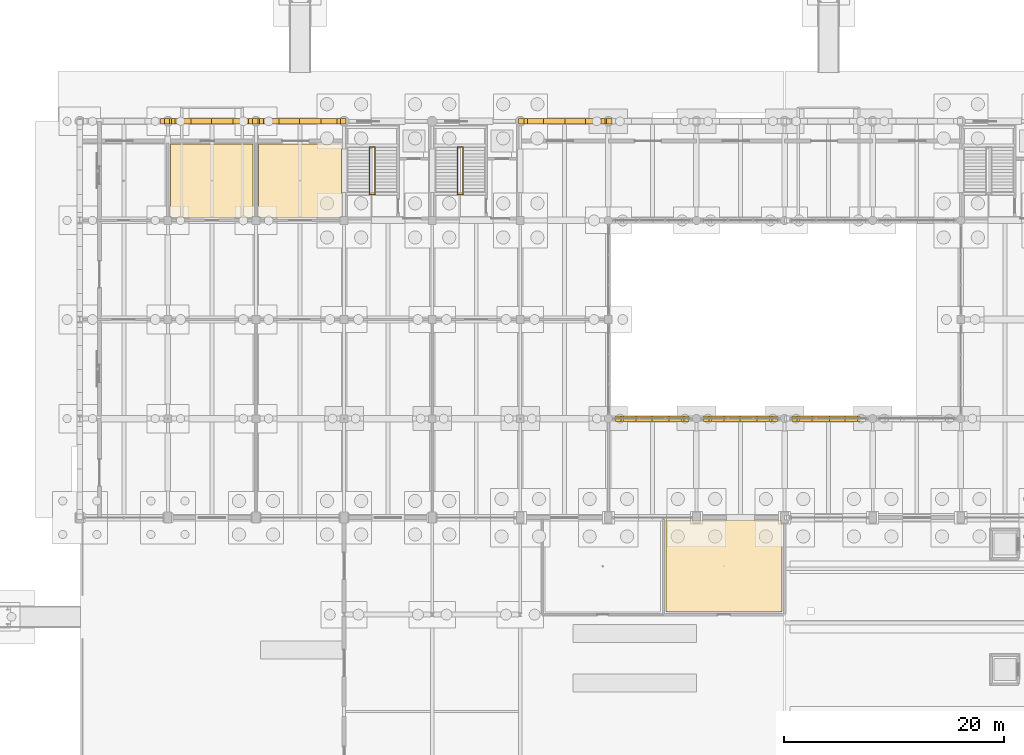
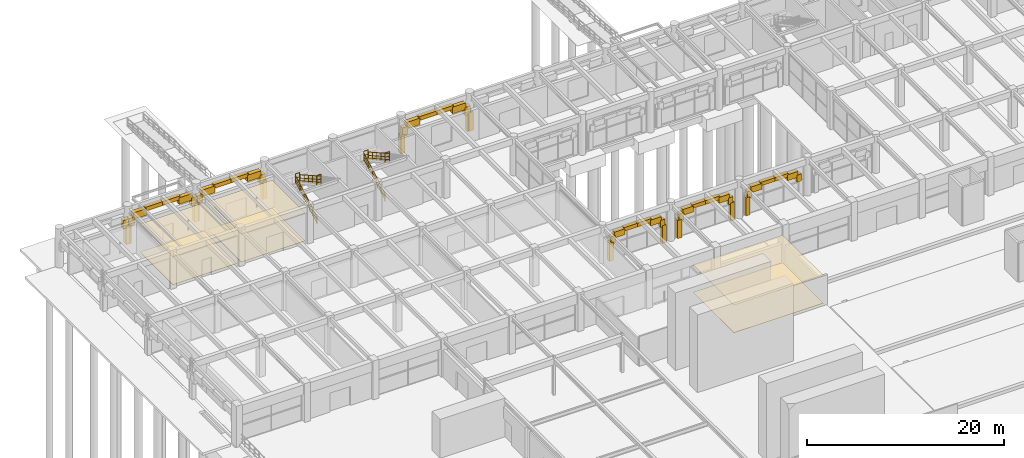
# One storey, part 138 of 147: 56 coverings, 8 railings.
"""IFC4 building model written with IfcOpenShell, lengths in metres."""

import ifcopenshell
import ifcopenshell.guid

model = None  # the IFC model being written
_history = None  # IfcOwnerHistory: only IFC2X3 demands one
_inside = {}  # id of a spatial element -> (the spatial element, [elements in it])
_under = {}  # id of a project, library or spatial element -> (it, [spatial elements below it])
_declared = {}  # id of a project -> (the project, [libraries it declares])
_typed = {}  # id of a type object -> (the type object, [elements of that type])
_made_of = {}  # id of a material, layer set ... -> (it, [elements and type objects made of it])


def new_model(schema):
    """Start an empty IFC model of exactly this schema.

    Asked for "IFC4X3", IfcOpenShell would pick the latest addendum, in which some entities
    have other attributes; the version numbers below select the first issue.
    IFC2X3 requires an IfcOwnerHistory on every rooted entity: one is made here for all.
    """
    global model, _history
    if schema == "IFC4X3":
        model = ifcopenshell.file(schema_version=(4, 3, 0, 0))
    else:
        model = ifcopenshell.file(schema=schema)
    _inside.clear()
    _under.clear()
    _declared.clear()
    _typed.clear()
    _made_of.clear()
    _history = None
    if model.schema == "IFC2X3":
        org = make("IfcOrganization", Name="unknown")
        user = make(
            "IfcPersonAndOrganization",
            ThePerson=make("IfcPerson", FamilyName="unknown"),
            TheOrganization=org,
        )
        app = make(
            "IfcApplication",
            ApplicationDeveloper=org,
            Version="unknown",
            ApplicationFullName="unknown",
            ApplicationIdentifier="unknown",
        )
        _history = make(
            "IfcOwnerHistory",
            OwningUser=user,
            OwningApplication=app,
            ChangeAction="ADDED",
            CreationDate=0,
        )
    return model


def make(cls, **values):
    """One entity of the class cls with the attributes given. An attribute that is None is left unset."""
    return model.create_entity(
        cls, **{name: value for name, value in values.items() if value is not None}
    )


def rooted(cls, **values):
    """An entity with a GlobalId (a new one), such as an element, a storey or a relation."""
    return make(cls, GlobalId=ifcopenshell.guid.new(), OwnerHistory=_history, **values)


def si_unit(unit_type, name, prefix=None):
    """IfcSIUnit, for example si_unit("LENGTHUNIT", "METRE", prefix="MILLI")."""
    return make("IfcSIUnit", UnitType=unit_type, Prefix=prefix, Name=name)


def assignment(units):
    """IfcUnitAssignment: the units of a project."""
    return None if units is None else make("IfcUnitAssignment", Units=units)


def point(xyz):
    """IfcCartesianPoint."""
    return None if xyz is None else make("IfcCartesianPoint", Coordinates=xyz)


def direction(xyz):
    """IfcDirection."""
    return None if xyz is None else make("IfcDirection", DirectionRatios=xyz)


def frame(location, z_axis=None, x_axis=None):
    """IfcAxis2Placement3D, a coordinate frame: its origin and axes. An axis left out is left unset."""
    return make(
        "IfcAxis2Placement3D",
        Location=point(location),
        Axis=direction(z_axis),
        RefDirection=direction(x_axis),
    )


def frame_2d(location, x_axis=None):
    """IfcAxis2Placement2D, a coordinate frame in the plane: its origin and x axis."""
    return make(
        "IfcAxis2Placement2D", Location=point(location), RefDirection=direction(x_axis)
    )


def origin():
    """The frame at (0, 0, 0) with its axes left unset."""
    return frame((0.0, 0.0, 0.0))


def origin_2d():
    """The frame at (0, 0) in the plane with its x axis left unset."""
    return frame_2d((0.0, 0.0))


def place(relative_to, where):
    """IfcLocalPlacement: puts the frame where relative to a parent placement (None: the world)."""
    return make(
        "IfcLocalPlacement", PlacementRelTo=relative_to, RelativePlacement=where
    )


def context(
    kind, dimensions, precision=None, world=None, true_north=None, identifier=None
):
    """IfcGeometricRepresentationContext, for example the 3D "Model" context."""
    return make(
        "IfcGeometricRepresentationContext",
        ContextIdentifier=identifier,
        ContextType=kind,
        CoordinateSpaceDimension=dimensions,
        Precision=precision,
        WorldCoordinateSystem=world,
        TrueNorth=true_north,
    )


def subcontext(parent, identifier, kind, view, scale=None):
    """IfcGeometricRepresentationSubContext, for example "Body" below "Model"."""
    return make(
        "IfcGeometricRepresentationSubContext",
        ContextIdentifier=identifier,
        ContextType=kind,
        ParentContext=parent,
        TargetScale=scale,
        TargetView=view,
    )


def project(units=None, contexts=None):
    """IfcProject with its units and contexts."""
    return rooted(
        "IfcProject",
        Name="project",
        RepresentationContexts=contexts,
        UnitsInContext=assignment(units),
    )


def spatial(cls, under=None, at=None, **own):
    """A site, building, storey or space (cls), placed at a placement, below another one or the project."""
    s = rooted(cls, ObjectPlacement=at, **own)
    if under is not None:
        _under.setdefault(under.id(), (under, []))[1].append(s)
    return s


def polyline(points):
    """IfcPolyline through the points."""
    return make("IfcPolyline", Points=[point(p) for p in points])


def profile(cls, at=None, kind="AREA", **sizes):
    """A parametric profile (cls). Its sizes go by their IFC names, for example OverallWidth=200.0."""
    return make(cls, ProfileType=kind, Position=at, **sizes)


def rectangle(**sizes):
    """IfcRectangleProfileDef."""
    return profile("IfcRectangleProfileDef", **sizes)


def circle(**sizes):
    """IfcCircleProfileDef."""
    return profile("IfcCircleProfileDef", **sizes)


def outline(outer, holes=None, kind="AREA"):
    """IfcArbitraryClosedProfileDef: a profile drawn as a closed curve; with holes, ...WithVoids."""
    if holes is None:
        return make("IfcArbitraryClosedProfileDef", ProfileType=kind, OuterCurve=outer)
    return make(
        "IfcArbitraryProfileDefWithVoids",
        ProfileType=kind,
        OuterCurve=outer,
        InnerCurves=holes,
    )


def extrude(swept, where, along, depth):
    """IfcExtrudedAreaSolid: the profile swept, set in the frame where, extruded along a direction by depth."""
    return make(
        "IfcExtrudedAreaSolid",
        SweptArea=swept,
        Position=where,
        ExtrudedDirection=direction(along),
        Depth=depth,
    )


def shape(context_of_items, identifier, shape_type, items):
    """IfcShapeRepresentation: the items that make up one representation, for example the "Body"."""
    return make(
        "IfcShapeRepresentation",
        ContextOfItems=context_of_items,
        RepresentationIdentifier=identifier,
        RepresentationType=shape_type,
        Items=items,
    )


def material(Name=None, Category=None):
    """IfcMaterial."""
    return make("IfcMaterial", Name=Name, Category=Category)


def layer(
    of_material, thickness, ventilated=None, Name=None, Category=None, Priority=None
):
    """IfcMaterialLayer: one layer of a wall or slab, of a material (None: an air gap)."""
    return make(
        "IfcMaterialLayer",
        Material=of_material,
        LayerThickness=thickness,
        IsVentilated=ventilated,
        Name=Name,
        Category=Category,
        Priority=Priority,
    )


def layer_set(layers, Name=None):
    """IfcMaterialLayerSet."""
    return make("IfcMaterialLayerSet", MaterialLayers=layers, LayerSetName=Name)


def made_of(thing, what):
    """Note that an element or type object is made of a material, layer set ...; save() writes the relation."""
    if what is not None:
        _made_of.setdefault(what.id(), (what, []))[1].append(thing)
    return thing


def type_object(cls, material=None, **own):
    """A type object (cls), such as IfcWallType, which elements share."""
    return made_of(rooted(cls, **own), material)


def element(
    cls,
    number,
    at=None,
    inside=None,
    cuts=None,
    type_object=None,
    material=None,
    context=None,
    identifier="Body",
    shape_type=None,
    held_by="IfcProductDefinitionShape",
    body=None,
    shapes=None,
    **own,
):
    """One element of the class cls, such as IfcWall. Its Tag is "e" and its number.

    at: its placement. inside: the storey or other place that contains it. cuts: it is an
    opening in that element (IfcRelVoidsElement). A single representation is given by context,
    identifier, shape_type and body (its items); several are given by shapes. held_by: the class
    of the entity that holds the representations. save() writes the other relations.
    """
    e = rooted(cls, Tag="e%d" % number, ObjectPlacement=at, **own)
    if body is not None:
        shapes = [shape(context, identifier, shape_type, body)]
    if shapes is not None:
        e.Representation = make(held_by, Representations=shapes)
    if inside is not None:
        _inside.setdefault(inside.id(), (inside, []))[1].append(e)
    if cuts is not None:
        rooted(
            "IfcRelVoidsElement", RelatingBuildingElement=cuts, RelatedOpeningElement=e
        )
    if type_object is not None:
        _typed.setdefault(type_object.id(), (type_object, []))[1].append(e)
    return made_of(e, material)


def aggregate(whole, parts):
    """IfcRelAggregates: a whole, such as a stair, and the parts it consists of."""
    return rooted("IfcRelAggregates", RelatingObject=whole, RelatedObjects=parts)


def save(model, path):
    """Write the relations noted so far, then the file.

    IfcRelAggregates (storeys below a building ...), IfcRelContainedInSpatialStructure (elements
    in a storey), IfcRelDefinesByType, IfcRelAssociatesMaterial and IfcRelDeclares: one each for
    every whole, place, type object, material and project.
    """
    for whole, parts in _under.values():
        aggregate(whole, parts)
    for where, things in _inside.values():
        rooted(
            "IfcRelContainedInSpatialStructure",
            RelatedElements=things,
            RelatingStructure=where,
        )
    for kind, things in _typed.values():
        rooted("IfcRelDefinesByType", RelatedObjects=things, RelatingType=kind)
    for what, things in _made_of.values():
        rooted("IfcRelAssociatesMaterial", RelatedObjects=things, RelatingMaterial=what)
    for by, libraries in _declared.values():
        rooted("IfcRelDeclares", RelatingContext=by, RelatedDefinitions=libraries)
    model.write(path)


model = new_model("IFC4")

# Units and contexts
model_context = context("Model", 3, precision=1e-05, world=origin(), true_north=direction((0.0, 1.0)))
body_context = subcontext(model_context, "Body", "Model", "MODEL_VIEW")
ifc_project = project(units=[si_unit("LENGTHUNIT", "METRE"), si_unit("AREAUNIT", "SQUARE_METRE"), si_unit("VOLUMEUNIT", "CUBIC_METRE"), si_unit("PLANEANGLEUNIT", "RADIAN"), si_unit("MASSUNIT", "GRAM", prefix="KILO")], contexts=[model_context])

# Site, building, storey
site_placement = place(None, origin())
site = spatial("IfcSite", under=ifc_project, at=site_placement, CompositionType="ELEMENT")
building_placement = place(site_placement, origin())
building = spatial("IfcBuilding", under=site, at=building_placement, Name="Varnabhumi Central Station", CompositionType="ELEMENT")
storey_placement = place(building_placement, origin())
storey = spatial("IfcBuildingStorey", under=building, at=storey_placement, Name="L00", CompositionType="ELEMENT", Elevation=0.0)

# Coverings
ifc_material_1 = material(Name="Mineral-fibre acoustic tile")
ifc_layer_1 = layer(ifc_material_1, 0.02490234375, Name="Mineral-fibre acoustic tile")
ifc_layer_set_1 = layer_set([ifc_layer_1], Name="Mineral-fibre acoustic tile")
covering_type_1 = type_object("IfcCoveringType", Name="COV-CEIL-ACOUSTIC", PredefinedType="CEILING", material=ifc_layer_set_1)
covering_1_placement = place(storey_placement, frame((0.0, 0.0, 3.419921875)))
element("IfcCovering", 1, at=covering_1_placement, inside=storey, type_object=covering_type_1, Name="Passenger Cloak Room and Left Luggage Acoustic Ceiling", PredefinedType="CEILING", context=body_context, shape_type="SweptSolid", body=[
    extrude(outline(polyline([(53.25, 71.449951171875), (63.75, 71.449951171875), (63.75, 79.75), (53.25, 79.75), (53.25, 71.449951171875)])), origin(), (0.0, 0.0, 1.0), 0.025146484375),
])
covering_2_placement = place(storey_placement, frame((0.0, 0.0, 3.469970703125)))
element("IfcCovering", 2, at=covering_2_placement, inside=storey, type_object=covering_type_1, Name="Fire Command Centre Acoustic Ceiling", PredefinedType="CEILING", context=body_context, shape_type="SweptSolid", body=[
    extrude(outline(polyline([(8.25, 107.25), (15.75, 107.25), (15.75, 113.949951171875), (8.25, 113.949951171875), (8.25, 107.25)])), origin(), (0.0, 0.0, 1.0), 0.025146484375),
])
covering_3_placement = place(storey_placement, frame((0.0, 0.0, 3.469970703125)))
element("IfcCovering", 3, at=covering_3_placement, inside=storey, type_object=covering_type_1, Name="Travel Retail Shop 01 Acoustic Ceiling", PredefinedType="CEILING", context=body_context, shape_type="SweptSolid", body=[
    extrude(outline(polyline([(16.25, 107.25), (23.75, 107.25), (23.75, 113.949951171875), (16.25, 113.949951171875), (16.25, 107.25)])), origin(), (0.0, 0.0, 1.0), 0.025146484375),
])
ifc_material_2 = material(Name="Vitrified granite stone flooring", Category="masonry")
ifc_layer_2 = layer(ifc_material_2, 0.030029296875, Name="Vitrified granite stone flooring", Category="masonry")
ifc_layer_set_2 = layer_set([ifc_layer_2], Name="Vitrified granite stone flooring")
covering_type_2 = type_object("IfcCoveringType", Name="COV-FLOR-GRANITE", PredefinedType="FLOORING", material=ifc_layer_set_2)
covering_4_placement = place(storey_placement, origin())
element("IfcCovering", 4, at=covering_4_placement, inside=storey, type_object=covering_type_2, Name="Passenger Cloak Room and Left Luggage Granite Flooring", PredefinedType="FLOORING", context=body_context, shape_type="SweptSolid", body=[
    extrude(outline(polyline([(53.25, 71.449951171875), (63.75, 71.449951171875), (63.75, 79.75), (53.25, 79.75), (53.25, 71.449951171875)])), origin(), (0.0, 0.0, 1.0), 0.030029296875),
])
covering_5_placement = place(storey_placement, origin())
element("IfcCovering", 5, at=covering_5_placement, inside=storey, type_object=covering_type_2, Name="Fire Command Centre Granite Flooring", PredefinedType="FLOORING", context=body_context, shape_type="SweptSolid", body=[
    extrude(outline(polyline([(8.25, 107.25), (15.75, 107.25), (15.75, 113.949951171875), (8.25, 113.949951171875), (8.25, 107.25)])), origin(), (0.0, 0.0, 1.0), 0.030029296875),
])
covering_6_placement = place(storey_placement, origin())
element("IfcCovering", 6, at=covering_6_placement, inside=storey, type_object=covering_type_2, Name="Travel Retail Shop 01 Granite Flooring", PredefinedType="FLOORING", context=body_context, shape_type="SweptSolid", body=[
    extrude(outline(polyline([(16.25, 107.25), (23.75, 107.25), (23.75, 113.949951171875), (16.25, 113.949951171875), (16.25, 107.25)])), origin(), (0.0, 0.0, 1.0), 0.030029296875),
])
ifc_material_3 = material(Name="Terracotta clay Mission barrel tile", Category="masonry")
ifc_layer_3 = layer(ifc_material_3, 0.02001953125, Name="Terracotta clay Mission barrel tile", Category="masonry")
ifc_layer_set_3 = layer_set([ifc_layer_3], Name="Terracotta clay Mission barrel tile")
covering_type_3 = type_object("IfcCoveringType", Name="COV-WALL-FAIENCE", PredefinedType="CLADDING", material=ifc_layer_set_3)
covering_7_placement = place(storey_placement, frame((7.657470703125, 116.0, 2.110107421875), z_axis=(0.0, 0.0, 1.0), x_axis=(1.0, 0.0, 0.0)))
element("IfcCovering", 7, at=covering_7_placement, inside=storey, type_object=covering_type_3, Name="North Boulevard Portales Arch 1 Stone Voussoir 6", PredefinedType="CLADDING", context=body_context, shape_type="SweptSolid", body=[
    extrude(rectangle(XDim=0.64501953125, YDim=0.47998046875, at=origin_2d()), origin(), (0.0, 0.0, 1.0), 1.0048828125),
])
covering_8_placement = place(storey_placement, frame((7.919921875, 116.0, -0.02001953125), z_axis=(0.0, 0.0, 1.0), x_axis=(1.0, 0.0, 0.0)))
element("IfcCovering", 8, at=covering_8_placement, inside=storey, type_object=covering_type_3, Name="North Boulevard Portales Arch 1 Classical Pilaster 2", PredefinedType="CLADDING", context=body_context, shape_type="SweptSolid", body=[
    extrude(rectangle(XDim=0.47998046875, YDim=0.47998046875, at=origin_2d()), origin(), (0.0, 0.0, 1.0), 2.2900390625),
])
covering_9_placement = place(storey_placement, frame((8.342529296875, 116.0, 2.110107421875), z_axis=(0.0, 0.0, 1.0), x_axis=(1.0, 0.0, 0.0)))
element("IfcCovering", 9, at=covering_9_placement, inside=storey, type_object=covering_type_3, Name="North Boulevard Portales Arch 2 Stone Voussoir 1", PredefinedType="CLADDING", context=body_context, shape_type="SweptSolid", body=[
    extrude(rectangle(XDim=0.64501953125, YDim=0.47998046875, at=origin_2d()), origin(), (0.0, 0.0, 1.0), 1.0048828125),
])
covering_10_placement = place(storey_placement, frame((9.322509765625, 116.0, 2.8349609375), z_axis=(0.0, 0.0, 1.0), x_axis=(1.0, 0.0, 0.0)))
element("IfcCovering", 10, at=covering_10_placement, inside=storey, type_object=covering_type_3, Name="North Boulevard Portales Arch 2 Stone Voussoir 2", PredefinedType="CLADDING", context=body_context, shape_type="SweptSolid", body=[
    extrude(rectangle(XDim=1.554931640625, YDim=0.47998046875, at=origin_2d()), origin(), (0.0, 0.0, 1.0), 0.81103515625),
])
for number, where, z_axis, x_axis, name in (
    (11, (11.02001953125, 116.0, 3.365966796875), (0.0, 0.0, 1.0), (1.0, 0.0, 0.0), "North Boulevard Portales Arch 2 Stone Voussoir 3"),
    (12, (12.97998046875, 116.0, 3.365966796875), (0.0, 0.0, 1.0), (1.0, 0.0, 0.0), "North Boulevard Portales Arch 2 Stone Voussoir 4"),
):
    element("IfcCovering", number, at=place(storey_placement, frame(where, z_axis=z_axis, x_axis=x_axis)), inside=storey, type_object=covering_type_3, Name=name, PredefinedType="CLADDING", context=body_context, shape_type="SweptSolid", body=[
        extrude(rectangle(XDim=2.080078125, YDim=0.47998046875, at=origin_2d()), origin(), (0.0, 0.0, 1.0), 0.47412109375),
    ])
covering_11_placement = place(storey_placement, frame((14.677490234375, 116.0, 2.8349609375), z_axis=(0.0, 0.0, 1.0), x_axis=(1.0, 0.0, 0.0)))
element("IfcCovering", 13, at=covering_11_placement, inside=storey, type_object=covering_type_3, Name="North Boulevard Portales Arch 2 Stone Voussoir 5", PredefinedType="CLADDING", context=body_context, shape_type="SweptSolid", body=[
    extrude(rectangle(XDim=1.554931640625, YDim=0.47998046875, at=origin_2d()), origin(), (0.0, 0.0, 1.0), 0.81103515625),
])
covering_12_placement = place(storey_placement, frame((15.657470703125, 116.0, 2.110107421875), z_axis=(0.0, 0.0, 1.0), x_axis=(1.0, 0.0, 0.0)))
element("IfcCovering", 14, at=covering_12_placement, inside=storey, type_object=covering_type_3, Name="North Boulevard Portales Arch 2 Stone Voussoir 6", PredefinedType="CLADDING", context=body_context, shape_type="SweptSolid", body=[
    extrude(rectangle(XDim=0.64501953125, YDim=0.47998046875, at=origin_2d()), origin(), (0.0, 0.0, 1.0), 1.0048828125),
])
for number, where, z_axis, x_axis, name in (
    (15, (8.080078125, 116.0, -0.02001953125), (0.0, 0.0, 1.0), (1.0, 0.0, 0.0), "North Boulevard Portales Arch 2 Classical Pilaster 1"),
    (16, (15.919921875, 116.0, -0.02001953125), (0.0, 0.0, 1.0), (1.0, 0.0, 0.0), "North Boulevard Portales Arch 2 Classical Pilaster 2"),
):
    element("IfcCovering", number, at=place(storey_placement, frame(where, z_axis=z_axis, x_axis=x_axis)), inside=storey, type_object=covering_type_3, Name=name, PredefinedType="CLADDING", context=body_context, shape_type="SweptSolid", body=[
        extrude(rectangle(XDim=0.47998046875, YDim=0.47998046875, at=origin_2d()), origin(), (0.0, 0.0, 1.0), 2.2900390625),
    ])
covering_13_placement = place(storey_placement, frame((16.342529296875, 116.0, 2.110107421875), z_axis=(0.0, 0.0, 1.0), x_axis=(1.0, 0.0, 0.0)))
element("IfcCovering", 17, at=covering_13_placement, inside=storey, type_object=covering_type_3, Name="North Boulevard Portales Arch 3 Stone Voussoir 1", PredefinedType="CLADDING", context=body_context, shape_type="SweptSolid", body=[
    extrude(rectangle(XDim=0.64501953125, YDim=0.47998046875, at=origin_2d()), origin(), (0.0, 0.0, 1.0), 1.0048828125),
])
covering_14_placement = place(storey_placement, frame((17.322509765625, 116.0, 2.8349609375), z_axis=(0.0, 0.0, 1.0), x_axis=(1.0, 0.0, 0.0)))
element("IfcCovering", 18, at=covering_14_placement, inside=storey, type_object=covering_type_3, Name="North Boulevard Portales Arch 3 Stone Voussoir 2", PredefinedType="CLADDING", context=body_context, shape_type="SweptSolid", body=[
    extrude(rectangle(XDim=1.554931640625, YDim=0.47998046875, at=origin_2d()), origin(), (0.0, 0.0, 1.0), 0.81103515625),
])
for number, where, z_axis, x_axis, name in (
    (19, (19.02001953125, 116.0, 3.365966796875), (0.0, 0.0, 1.0), (1.0, 0.0, 0.0), "North Boulevard Portales Arch 3 Stone Voussoir 3"),
    (20, (20.97998046875, 116.0, 3.365966796875), (0.0, 0.0, 1.0), (1.0, 0.0, 0.0), "North Boulevard Portales Arch 3 Stone Voussoir 4"),
):
    element("IfcCovering", number, at=place(storey_placement, frame(where, z_axis=z_axis, x_axis=x_axis)), inside=storey, type_object=covering_type_3, Name=name, PredefinedType="CLADDING", context=body_context, shape_type="SweptSolid", body=[
        extrude(rectangle(XDim=2.080078125, YDim=0.47998046875, at=origin_2d()), origin(), (0.0, 0.0, 1.0), 0.47412109375),
    ])
covering_15_placement = place(storey_placement, frame((22.677490234375, 116.0, 2.8349609375), z_axis=(0.0, 0.0, 1.0), x_axis=(1.0, 0.0, 0.0)))
element("IfcCovering", 21, at=covering_15_placement, inside=storey, type_object=covering_type_3, Name="North Boulevard Portales Arch 3 Stone Voussoir 5", PredefinedType="CLADDING", context=body_context, shape_type="SweptSolid", body=[
    extrude(rectangle(XDim=1.554931640625, YDim=0.47998046875, at=origin_2d()), origin(), (0.0, 0.0, 1.0), 0.81103515625),
])
covering_16_placement = place(storey_placement, frame((23.657470703125, 116.0, 2.110107421875), z_axis=(0.0, 0.0, 1.0), x_axis=(1.0, 0.0, 0.0)))
element("IfcCovering", 22, at=covering_16_placement, inside=storey, type_object=covering_type_3, Name="North Boulevard Portales Arch 3 Stone Voussoir 6", PredefinedType="CLADDING", context=body_context, shape_type="SweptSolid", body=[
    extrude(rectangle(XDim=0.64501953125, YDim=0.47998046875, at=origin_2d()), origin(), (0.0, 0.0, 1.0), 1.0048828125),
])
for number, where, z_axis, x_axis, name in (
    (23, (16.080078125, 116.0, -0.02001953125), (0.0, 0.0, 1.0), (1.0, 0.0, 0.0), "North Boulevard Portales Arch 3 Classical Pilaster 1"),
    (24, (23.919921875, 116.0, -0.02001953125), (0.0, 0.0, 1.0), (1.0, 0.0, 0.0), "North Boulevard Portales Arch 3 Classical Pilaster 2"),
):
    element("IfcCovering", number, at=place(storey_placement, frame(where, z_axis=z_axis, x_axis=x_axis)), inside=storey, type_object=covering_type_3, Name=name, PredefinedType="CLADDING", context=body_context, shape_type="SweptSolid", body=[
        extrude(rectangle(XDim=0.47998046875, YDim=0.47998046875, at=origin_2d()), origin(), (0.0, 0.0, 1.0), 2.2900390625),
    ])
covering_17_placement = place(storey_placement, frame((40.342529296875, 116.0, 2.110107421875), z_axis=(0.0, 0.0, 1.0), x_axis=(1.0, 0.0, 0.0)))
element("IfcCovering", 25, at=covering_17_placement, inside=storey, type_object=covering_type_3, Name="North Boulevard Portales Arch 6 Stone Voussoir 1", PredefinedType="CLADDING", context=body_context, shape_type="SweptSolid", body=[
    extrude(rectangle(XDim=0.64501953125, YDim=0.47998046875, at=origin_2d()), origin(), (0.0, 0.0, 1.0), 1.0048828125),
])
covering_18_placement = place(storey_placement, frame((41.322509765625, 116.0, 2.8349609375), z_axis=(0.0, 0.0, 1.0), x_axis=(1.0, 0.0, 0.0)))
element("IfcCovering", 26, at=covering_18_placement, inside=storey, type_object=covering_type_3, Name="North Boulevard Portales Arch 6 Stone Voussoir 2", PredefinedType="CLADDING", context=body_context, shape_type="SweptSolid", body=[
    extrude(rectangle(XDim=1.554931640625, YDim=0.47998046875, at=origin_2d()), origin(), (0.0, 0.0, 1.0), 0.81103515625),
])
for number, where, z_axis, x_axis, name in (
    (27, (43.02001953125, 116.0, 3.365966796875), (0.0, 0.0, 1.0), (1.0, 0.0, 0.0), "North Boulevard Portales Arch 6 Stone Voussoir 3"),
    (28, (44.97998046875, 116.0, 3.365966796875), (0.0, 0.0, 1.0), (1.0, 0.0, 0.0), "North Boulevard Portales Arch 6 Stone Voussoir 4"),
):
    element("IfcCovering", number, at=place(storey_placement, frame(where, z_axis=z_axis, x_axis=x_axis)), inside=storey, type_object=covering_type_3, Name=name, PredefinedType="CLADDING", context=body_context, shape_type="SweptSolid", body=[
        extrude(rectangle(XDim=2.080078125, YDim=0.47998046875, at=origin_2d()), origin(), (0.0, 0.0, 1.0), 0.47412109375),
    ])
covering_19_placement = place(storey_placement, frame((46.677490234375, 116.0, 2.8349609375), z_axis=(0.0, 0.0, 1.0), x_axis=(1.0, 0.0, 0.0)))
element("IfcCovering", 29, at=covering_19_placement, inside=storey, type_object=covering_type_3, Name="North Boulevard Portales Arch 6 Stone Voussoir 5", PredefinedType="CLADDING", context=body_context, shape_type="SweptSolid", body=[
    extrude(rectangle(XDim=1.554931640625, YDim=0.47998046875, at=origin_2d()), origin(), (0.0, 0.0, 1.0), 0.81103515625),
])
covering_20_placement = place(storey_placement, frame((47.657470703125, 116.0, 2.110107421875), z_axis=(0.0, 0.0, 1.0), x_axis=(1.0, 0.0, 0.0)))
element("IfcCovering", 30, at=covering_20_placement, inside=storey, type_object=covering_type_3, Name="North Boulevard Portales Arch 6 Stone Voussoir 6", PredefinedType="CLADDING", context=body_context, shape_type="SweptSolid", body=[
    extrude(rectangle(XDim=0.64501953125, YDim=0.47998046875, at=origin_2d()), origin(), (0.0, 0.0, 1.0), 1.0048828125),
])
for number, where, z_axis, x_axis, name in (
    (31, (40.080078125, 116.0, -0.02001953125), (0.0, 0.0, 1.0), (1.0, 0.0, 0.0), "North Boulevard Portales Arch 6 Classical Pilaster 1"),
    (32, (47.919921875, 116.0, -0.02001953125), (0.0, 0.0, 1.0), (1.0, 0.0, 0.0), "North Boulevard Portales Arch 6 Classical Pilaster 2"),
    (33, (48.080078125, 116.0, -0.02001953125), (0.0, 0.0, 1.0), (1.0, 0.0, 0.0), "North Boulevard Portales Arch 7 Classical Pilaster 1"),
):
    element("IfcCovering", number, at=place(storey_placement, frame(where, z_axis=z_axis, x_axis=x_axis)), inside=storey, type_object=covering_type_3, Name=name, PredefinedType="CLADDING", context=body_context, shape_type="SweptSolid", body=[
        extrude(rectangle(XDim=0.47998046875, YDim=0.47998046875, at=origin_2d()), origin(), (0.0, 0.0, 1.0), 2.2900390625),
    ])
covering_21_placement = place(storey_placement, frame((49.107421875, 89.0, 2.06005859375), z_axis=(0.0, 0.0, 1.0), x_axis=(1.0, 0.0, 0.0)))
element("IfcCovering", 34, at=covering_21_placement, inside=storey, type_object=covering_type_3, Name="North Patio Cloister Arch L00-S1 Stone Voussoir 1", PredefinedType="CLADDING", context=body_context, shape_type="SweptSolid", body=[
    extrude(rectangle(XDim=0.534912109375, YDim=0.47998046875, at=origin_2d()), origin(), (0.0, 0.0, 1.0), 0.8798828125),
])
covering_22_placement = place(storey_placement, frame((49.882568359375, 89.0, 2.66015625), z_axis=(0.0, 0.0, 1.0), x_axis=(1.0, 0.0, 0.0)))
element("IfcCovering", 35, at=covering_22_placement, inside=storey, type_object=covering_type_3, Name="North Patio Cloister Arch L00-S1 Stone Voussoir 2", PredefinedType="CLADDING", context=body_context, shape_type="SweptSolid", body=[
    extrude(rectangle(XDim=1.2548828125, YDim=0.47998046875, at=origin_2d()), origin(), (0.0, 0.0, 1.0), 0.718994140625),
])
for number, where, z_axis, x_axis, name in (
    (36, (51.22509765625, 89.0, 3.09912109375), (0.0, 0.0, 1.0), (1.0, 0.0, 0.0), "North Patio Cloister Arch L00-S1 Stone Voussoir 3"),
    (37, (52.77490234375, 89.0, 3.09912109375), (0.0, 0.0, 1.0), (1.0, 0.0, 0.0), "North Patio Cloister Arch L00-S1 Stone Voussoir 4"),
):
    element("IfcCovering", number, at=place(storey_placement, frame(where, z_axis=z_axis, x_axis=x_axis)), inside=storey, type_object=covering_type_3, Name=name, PredefinedType="CLADDING", context=body_context, shape_type="SweptSolid", body=[
        extrude(rectangle(XDim=1.669921875, YDim=0.47998046875, at=origin_2d()), origin(), (0.0, 0.0, 1.0), 0.44091796875),
    ])
covering_23_placement = place(storey_placement, frame((54.117431640625, 89.0, 2.66015625), z_axis=(0.0, 0.0, 1.0), x_axis=(1.0, 0.0, 0.0)))
element("IfcCovering", 38, at=covering_23_placement, inside=storey, type_object=covering_type_3, Name="North Patio Cloister Arch L00-S1 Stone Voussoir 5", PredefinedType="CLADDING", context=body_context, shape_type="SweptSolid", body=[
    extrude(rectangle(XDim=1.2548828125, YDim=0.47998046875, at=origin_2d()), origin(), (0.0, 0.0, 1.0), 0.718994140625),
])
covering_24_placement = place(storey_placement, frame((54.892578125, 89.0, 2.06005859375), z_axis=(0.0, 0.0, 1.0), x_axis=(1.0, 0.0, 0.0)))
element("IfcCovering", 39, at=covering_24_placement, inside=storey, type_object=covering_type_3, Name="North Patio Cloister Arch L00-S1 Stone Voussoir 6", PredefinedType="CLADDING", context=body_context, shape_type="SweptSolid", body=[
    extrude(rectangle(XDim=0.534912109375, YDim=0.47998046875, at=origin_2d()), origin(), (0.0, 0.0, 1.0), 0.8798828125),
])
for number, where, z_axis, x_axis, name in (
    (40, (48.89990234375, 89.0, -0.02001953125), (0.0, 0.0, 1.0), (1.0, 0.0, 0.0), "North Patio Cloister Arch L00-S1 Classical Pilaster 1"),
    (41, (55.10009765625, 89.0, -0.02001953125), (0.0, 0.0, 1.0), (1.0, 0.0, 0.0), "North Patio Cloister Arch L00-S1 Classical Pilaster 2"),
):
    element("IfcCovering", number, at=place(storey_placement, frame(where, z_axis=z_axis, x_axis=x_axis)), inside=storey, type_object=covering_type_3, Name=name, PredefinedType="CLADDING", context=body_context, shape_type="SweptSolid", body=[
        extrude(rectangle(XDim=0.47998046875, YDim=0.47998046875, at=origin_2d()), origin(), (0.0, 0.0, 1.0), 2.239990234375),
    ])
covering_25_placement = place(storey_placement, frame((57.107421875, 89.0, 2.06005859375), z_axis=(0.0, 0.0, 1.0), x_axis=(1.0, 0.0, 0.0)))
element("IfcCovering", 42, at=covering_25_placement, inside=storey, type_object=covering_type_3, Name="North Patio Cloister Arch L00-S2 Stone Voussoir 1", PredefinedType="CLADDING", context=body_context, shape_type="SweptSolid", body=[
    extrude(rectangle(XDim=0.534912109375, YDim=0.47998046875, at=origin_2d()), origin(), (0.0, 0.0, 1.0), 0.8798828125),
])
covering_26_placement = place(storey_placement, frame((57.882568359375, 89.0, 2.66015625), z_axis=(0.0, 0.0, 1.0), x_axis=(1.0, 0.0, 0.0)))
element("IfcCovering", 43, at=covering_26_placement, inside=storey, type_object=covering_type_3, Name="North Patio Cloister Arch L00-S2 Stone Voussoir 2", PredefinedType="CLADDING", context=body_context, shape_type="SweptSolid", body=[
    extrude(rectangle(XDim=1.2548828125, YDim=0.47998046875, at=origin_2d()), origin(), (0.0, 0.0, 1.0), 0.718994140625),
])
for number, where, z_axis, x_axis, name in (
    (44, (59.22509765625, 89.0, 3.09912109375), (0.0, 0.0, 1.0), (1.0, 0.0, 0.0), "North Patio Cloister Arch L00-S2 Stone Voussoir 3"),
    (45, (60.77490234375, 89.0, 3.09912109375), (0.0, 0.0, 1.0), (1.0, 0.0, 0.0), "North Patio Cloister Arch L00-S2 Stone Voussoir 4"),
):
    element("IfcCovering", number, at=place(storey_placement, frame(where, z_axis=z_axis, x_axis=x_axis)), inside=storey, type_object=covering_type_3, Name=name, PredefinedType="CLADDING", context=body_context, shape_type="SweptSolid", body=[
        extrude(rectangle(XDim=1.669921875, YDim=0.47998046875, at=origin_2d()), origin(), (0.0, 0.0, 1.0), 0.44091796875),
    ])
covering_27_placement = place(storey_placement, frame((62.117431640625, 89.0, 2.66015625), z_axis=(0.0, 0.0, 1.0), x_axis=(1.0, 0.0, 0.0)))
element("IfcCovering", 46, at=covering_27_placement, inside=storey, type_object=covering_type_3, Name="North Patio Cloister Arch L00-S2 Stone Voussoir 5", PredefinedType="CLADDING", context=body_context, shape_type="SweptSolid", body=[
    extrude(rectangle(XDim=1.2548828125, YDim=0.47998046875, at=origin_2d()), origin(), (0.0, 0.0, 1.0), 0.718994140625),
])
covering_28_placement = place(storey_placement, frame((62.892578125, 89.0, 2.06005859375), z_axis=(0.0, 0.0, 1.0), x_axis=(1.0, 0.0, 0.0)))
element("IfcCovering", 47, at=covering_28_placement, inside=storey, type_object=covering_type_3, Name="North Patio Cloister Arch L00-S2 Stone Voussoir 6", PredefinedType="CLADDING", context=body_context, shape_type="SweptSolid", body=[
    extrude(rectangle(XDim=0.534912109375, YDim=0.47998046875, at=origin_2d()), origin(), (0.0, 0.0, 1.0), 0.8798828125),
])
for number, where, z_axis, x_axis, name in (
    (48, (56.89990234375, 89.0, -0.02001953125), (0.0, 0.0, 1.0), (1.0, 0.0, 0.0), "North Patio Cloister Arch L00-S2 Classical Pilaster 1"),
    (49, (63.10009765625, 89.0, -0.02001953125), (0.0, 0.0, 1.0), (1.0, 0.0, 0.0), "North Patio Cloister Arch L00-S2 Classical Pilaster 2"),
):
    element("IfcCovering", number, at=place(storey_placement, frame(where, z_axis=z_axis, x_axis=x_axis)), inside=storey, type_object=covering_type_3, Name=name, PredefinedType="CLADDING", context=body_context, shape_type="SweptSolid", body=[
        extrude(rectangle(XDim=0.47998046875, YDim=0.47998046875, at=origin_2d()), origin(), (0.0, 0.0, 1.0), 2.239990234375),
    ])
covering_29_placement = place(storey_placement, frame((65.107421875, 89.0, 2.06005859375), z_axis=(0.0, 0.0, 1.0), x_axis=(1.0, 0.0, 0.0)))
element("IfcCovering", 50, at=covering_29_placement, inside=storey, type_object=covering_type_3, Name="North Patio Cloister Arch L00-S3 Stone Voussoir 1", PredefinedType="CLADDING", context=body_context, shape_type="SweptSolid", body=[
    extrude(rectangle(XDim=0.534912109375, YDim=0.47998046875, at=origin_2d()), origin(), (0.0, 0.0, 1.0), 0.8798828125),
])
covering_30_placement = place(storey_placement, frame((65.882568359375, 89.0, 2.66015625), z_axis=(0.0, 0.0, 1.0), x_axis=(1.0, 0.0, 0.0)))
element("IfcCovering", 51, at=covering_30_placement, inside=storey, type_object=covering_type_3, Name="North Patio Cloister Arch L00-S3 Stone Voussoir 2", PredefinedType="CLADDING", context=body_context, shape_type="SweptSolid", body=[
    extrude(rectangle(XDim=1.2548828125, YDim=0.47998046875, at=origin_2d()), origin(), (0.0, 0.0, 1.0), 0.718994140625),
])
for number, where, z_axis, x_axis, name in (
    (52, (67.22509765625, 89.0, 3.09912109375), (0.0, 0.0, 1.0), (1.0, 0.0, 0.0), "North Patio Cloister Arch L00-S3 Stone Voussoir 3"),
    (53, (68.77490234375, 89.0, 3.09912109375), (0.0, 0.0, 1.0), (1.0, 0.0, 0.0), "North Patio Cloister Arch L00-S3 Stone Voussoir 4"),
):
    element("IfcCovering", number, at=place(storey_placement, frame(where, z_axis=z_axis, x_axis=x_axis)), inside=storey, type_object=covering_type_3, Name=name, PredefinedType="CLADDING", context=body_context, shape_type="SweptSolid", body=[
        extrude(rectangle(XDim=1.669921875, YDim=0.47998046875, at=origin_2d()), origin(), (0.0, 0.0, 1.0), 0.44091796875),
    ])
covering_31_placement = place(storey_placement, frame((70.117431640625, 89.0, 2.66015625), z_axis=(0.0, 0.0, 1.0), x_axis=(1.0, 0.0, 0.0)))
element("IfcCovering", 54, at=covering_31_placement, inside=storey, type_object=covering_type_3, Name="North Patio Cloister Arch L00-S3 Stone Voussoir 5", PredefinedType="CLADDING", context=body_context, shape_type="SweptSolid", body=[
    extrude(rectangle(XDim=1.2548828125, YDim=0.47998046875, at=origin_2d()), origin(), (0.0, 0.0, 1.0), 0.718994140625),
])
covering_32_placement = place(storey_placement, frame((70.892578125, 89.0, 2.06005859375), z_axis=(0.0, 0.0, 1.0), x_axis=(1.0, 0.0, 0.0)))
element("IfcCovering", 55, at=covering_32_placement, inside=storey, type_object=covering_type_3, Name="North Patio Cloister Arch L00-S3 Stone Voussoir 6", PredefinedType="CLADDING", context=body_context, shape_type="SweptSolid", body=[
    extrude(rectangle(XDim=0.534912109375, YDim=0.47998046875, at=origin_2d()), origin(), (0.0, 0.0, 1.0), 0.8798828125),
])
covering_33_placement = place(storey_placement, frame((64.89990234375, 89.0, -0.02001953125), z_axis=(0.0, 0.0, 1.0), x_axis=(1.0, 0.0, 0.0)))
element("IfcCovering", 56, at=covering_33_placement, inside=storey, type_object=covering_type_3, Name="North Patio Cloister Arch L00-S3 Classical Pilaster 1", PredefinedType="CLADDING", context=body_context, shape_type="SweptSolid", body=[
    extrude(rectangle(XDim=0.47998046875, YDim=0.47998046875, at=origin_2d()), origin(), (0.0, 0.0, 1.0), 2.239990234375),
])

# Railings
ifc_material_4 = material(Name="Stainless steel Grade 316", Category="steel")
railing_type_1 = type_object("IfcRailingType", Name="RAIL-STAIR-GRD-1150", PredefinedType="GUARDRAIL", material=ifc_material_4)
for number, where, name in (
    (57, (26.300048828125, 113.675048828125, 2.39990234375), "ST-N1 L00 Half-Landing Well Guard"),
    (58, (26.300048828125, 109.360107421875, 4.800048828125), "ST-N1 L00 Arrival Slot Guard"),
    (59, (34.300048828125, 113.675048828125, 2.39990234375), "ST-N4 L00 Half-Landing Well Guard"),
    (60, (34.300048828125, 109.360107421875, 4.800048828125), "ST-N4 L00 Arrival Slot Guard"),
):
    element("IfcRailing", number, at=place(storey_placement, frame(where)), inside=storey, type_object=railing_type_1, Name=name, PredefinedType="GUARDRAIL", context=body_context, shape_type="SweptSolid", body=[
        extrude(circle(Radius=0.02392578125, at=origin_2d()), frame((0.0, 0.0, 1.1259765625), z_axis=(1.0, 0.0, 0.0), x_axis=(0.0, 1.0, 0.0)), (0.0, 0.0, 1.0), 0.5),
        extrude(circle(Radius=0.01416015625, at=origin_2d()), frame((0.0, 0.0, 0.597900390625), z_axis=(1.0, 0.0, 0.0), x_axis=(0.0, 1.0, 0.0)), (0.0, 0.0, 1.0), 0.5),
        extrude(circle(Radius=0.01416015625, at=origin_2d()), frame((0.0, 0.0, 0.18408203125), z_axis=(1.0, 0.0, 0.0), x_axis=(0.0, 1.0, 0.0)), (0.0, 0.0, 1.0), 0.5),
        extrude(circle(Radius=0.02099609375, at=origin_2d()), origin(), (0.0, 0.0, 1.0), 1.101806640625),
        extrude(circle(Radius=0.02099609375, at=origin_2d()), frame((0.5, 0.0, 0.0)), (0.0, 0.0, 1.0), 1.101806640625),
    ])
railing_type_2 = type_object("IfcRailingType", Name="RAIL-STAIR-HR-920", PredefinedType="HANDRAIL", material=ifc_material_4)
railing_1_placement = place(storey_placement, frame((26.300048828125, 109.340087890625, 0.0)))
element("IfcRailing", 61, at=railing_1_placement, inside=storey, type_object=railing_type_2, Name="ST-N1 L00 Flight 1 Handrail", PredefinedType="HANDRAIL", context=body_context, shape_type="SweptSolid", body=[
    extrude(circle(Radius=0.02392578125, at=origin_2d()), frame((0.0, 0.0, 0.89599609375), z_axis=(0.0, 0.871987514779, 0.489528113665), x_axis=(-1.0, 0.0, 0.0)), (0.0, 0.0, 1.0), 4.902587890625),
    extrude(circle(Radius=0.01416015625, at=origin_2d()), frame((0.0, 0.0, 0.478271484375), z_axis=(0.0, 0.871987514779, 0.489528113665), x_axis=(-1.0, 0.0, 0.0)), (0.0, 0.0, 1.0), 4.902587890625),
    extrude(circle(Radius=0.01416015625, at=origin_2d()), frame((0.0, 0.0, 0.147216796875), z_axis=(0.0, 0.871987514779, 0.489528113665), x_axis=(-1.0, 0.0, 0.0)), (0.0, 0.0, 1.0), 4.902587890625),
    extrude(circle(Radius=0.02099609375, at=origin_2d()), origin(), (0.0, 0.0, 1.0), 0.871826171875),
    extrude(circle(Radius=0.02099609375, at=origin_2d()), frame((0.0, 0.85498046875, 0.47998046875)), (0.0, 0.0, 1.0), 0.871826171875),
    extrude(circle(Radius=0.02099609375, at=origin_2d()), frame((0.0, 1.7099609375, 0.9599609375)), (0.0, 0.0, 1.0), 0.871826171875),
    extrude(circle(Radius=0.02099609375, at=origin_2d()), frame((0.0, 2.56494140625, 1.43994140625)), (0.0, 0.0, 1.0), 0.871826171875),
    extrude(circle(Radius=0.02099609375, at=origin_2d()), frame((0.0, 3.419921875, 1.919921875)), (0.0, 0.0, 1.0), 0.871826171875),
    extrude(circle(Radius=0.02099609375, at=origin_2d()), frame((0.0, 4.27490234375, 2.39990234375)), (0.0, 0.0, 1.0), 0.871826171875),
])
railing_2_placement = place(storey_placement, frame((26.800048828125, 113.614990234375, 2.39990234375)))
element("IfcRailing", 62, at=railing_2_placement, inside=storey, type_object=railing_type_2, Name="ST-N1 L00 Flight 2 Handrail", PredefinedType="HANDRAIL", context=body_context, shape_type="SweptSolid", body=[
    extrude(circle(Radius=0.02392578125, at=origin_2d()), frame((0.0, 0.0, 0.89599609375), z_axis=(0.0, -0.871966256983, 0.489565977864), x_axis=(1.0, 0.0, 0.0)), (0.0, 0.0, 1.0), 4.902587890625),
    extrude(circle(Radius=0.01416015625, at=origin_2d()), frame((0.0, 0.0, 0.478271484375), z_axis=(0.0, -0.871966256983, 0.489565977864), x_axis=(1.0, 0.0, 0.0)), (0.0, 0.0, 1.0), 4.902587890625),
    extrude(circle(Radius=0.01416015625, at=origin_2d()), frame((0.0, 0.0, 0.147216796875), z_axis=(0.0, -0.871966256983, 0.489565977864), x_axis=(1.0, 0.0, 0.0)), (0.0, 0.0, 1.0), 4.902587890625),
    extrude(circle(Radius=0.02099609375, at=origin_2d()), origin(), (0.0, 0.0, 1.0), 0.871826171875),
    extrude(circle(Radius=0.02099609375, at=origin_2d()), frame((0.0, -0.85498046875, 0.47998046875)), (0.0, 0.0, 1.0), 0.871826171875),
    extrude(circle(Radius=0.02099609375, at=origin_2d()), frame((0.0, -1.7099609375, 0.9599609375)), (0.0, 0.0, 1.0), 0.871826171875),
    extrude(circle(Radius=0.02099609375, at=origin_2d()), frame((0.0, -2.56494140625, 1.440185546875)), (0.0, 0.0, 1.0), 0.871826171875),
    extrude(circle(Radius=0.02099609375, at=origin_2d()), frame((0.0, -3.419921875, 1.920166015625)), (0.0, 0.0, 1.0), 0.871826171875),
    extrude(circle(Radius=0.02099609375, at=origin_2d()), frame((0.0, -4.27490234375, 2.400146484375)), (0.0, 0.0, 1.0), 0.871826171875),
])
railing_3_placement = place(storey_placement, frame((34.300048828125, 109.340087890625, 0.0)))
element("IfcRailing", 63, at=railing_3_placement, inside=storey, type_object=railing_type_2, Name="ST-N4 L00 Flight 1 Handrail", PredefinedType="HANDRAIL", context=body_context, shape_type="SweptSolid", body=[
    extrude(circle(Radius=0.02392578125, at=origin_2d()), frame((0.0, 0.0, 0.89599609375), z_axis=(0.0, 0.871987514779, 0.489528113665), x_axis=(-1.0, 0.0, 0.0)), (0.0, 0.0, 1.0), 4.902587890625),
    extrude(circle(Radius=0.01416015625, at=origin_2d()), frame((0.0, 0.0, 0.478271484375), z_axis=(0.0, 0.871987514779, 0.489528113665), x_axis=(-1.0, 0.0, 0.0)), (0.0, 0.0, 1.0), 4.902587890625),
    extrude(circle(Radius=0.01416015625, at=origin_2d()), frame((0.0, 0.0, 0.147216796875), z_axis=(0.0, 0.871987514779, 0.489528113665), x_axis=(-1.0, 0.0, 0.0)), (0.0, 0.0, 1.0), 4.902587890625),
    extrude(circle(Radius=0.02099609375, at=origin_2d()), origin(), (0.0, 0.0, 1.0), 0.871826171875),
    extrude(circle(Radius=0.02099609375, at=origin_2d()), frame((0.0, 0.85498046875, 0.47998046875)), (0.0, 0.0, 1.0), 0.871826171875),
    extrude(circle(Radius=0.02099609375, at=origin_2d()), frame((0.0, 1.7099609375, 0.9599609375)), (0.0, 0.0, 1.0), 0.871826171875),
    extrude(circle(Radius=0.02099609375, at=origin_2d()), frame((0.0, 2.56494140625, 1.43994140625)), (0.0, 0.0, 1.0), 0.871826171875),
    extrude(circle(Radius=0.02099609375, at=origin_2d()), frame((0.0, 3.419921875, 1.919921875)), (0.0, 0.0, 1.0), 0.871826171875),
    extrude(circle(Radius=0.02099609375, at=origin_2d()), frame((0.0, 4.27490234375, 2.39990234375)), (0.0, 0.0, 1.0), 0.871826171875),
])
railing_4_placement = place(storey_placement, frame((34.800048828125, 113.614990234375, 2.39990234375)))
element("IfcRailing", 64, at=railing_4_placement, inside=storey, type_object=railing_type_2, Name="ST-N4 L00 Flight 2 Handrail", PredefinedType="HANDRAIL", context=body_context, shape_type="SweptSolid", body=[
    extrude(circle(Radius=0.02392578125, at=origin_2d()), frame((0.0, 0.0, 0.89599609375), z_axis=(0.0, -0.871966256983, 0.489565977864), x_axis=(1.0, 0.0, 0.0)), (0.0, 0.0, 1.0), 4.902587890625),
    extrude(circle(Radius=0.01416015625, at=origin_2d()), frame((0.0, 0.0, 0.478271484375), z_axis=(0.0, -0.871966256983, 0.489565977864), x_axis=(1.0, 0.0, 0.0)), (0.0, 0.0, 1.0), 4.902587890625),
    extrude(circle(Radius=0.01416015625, at=origin_2d()), frame((0.0, 0.0, 0.147216796875), z_axis=(0.0, -0.871966256983, 0.489565977864), x_axis=(1.0, 0.0, 0.0)), (0.0, 0.0, 1.0), 4.902587890625),
    extrude(circle(Radius=0.02099609375, at=origin_2d()), origin(), (0.0, 0.0, 1.0), 0.871826171875),
    extrude(circle(Radius=0.02099609375, at=origin_2d()), frame((0.0, -0.85498046875, 0.47998046875)), (0.0, 0.0, 1.0), 0.871826171875),
    extrude(circle(Radius=0.02099609375, at=origin_2d()), frame((0.0, -1.7099609375, 0.9599609375)), (0.0, 0.0, 1.0), 0.871826171875),
    extrude(circle(Radius=0.02099609375, at=origin_2d()), frame((0.0, -2.56494140625, 1.440185546875)), (0.0, 0.0, 1.0), 0.871826171875),
    extrude(circle(Radius=0.02099609375, at=origin_2d()), frame((0.0, -3.419921875, 1.920166015625)), (0.0, 0.0, 1.0), 0.871826171875),
    extrude(circle(Radius=0.02099609375, at=origin_2d()), frame((0.0, -4.27490234375, 2.400146484375)), (0.0, 0.0, 1.0), 0.871826171875),
])

save(model, "model.ifc")
